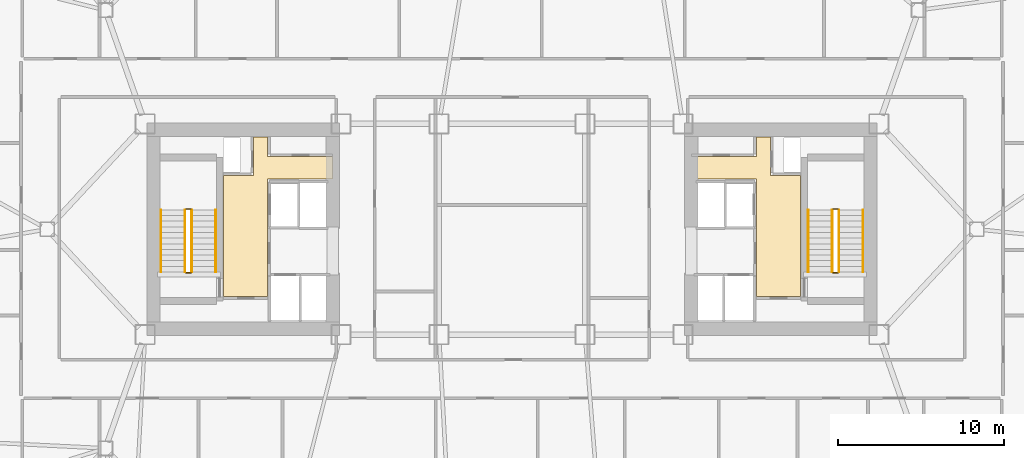
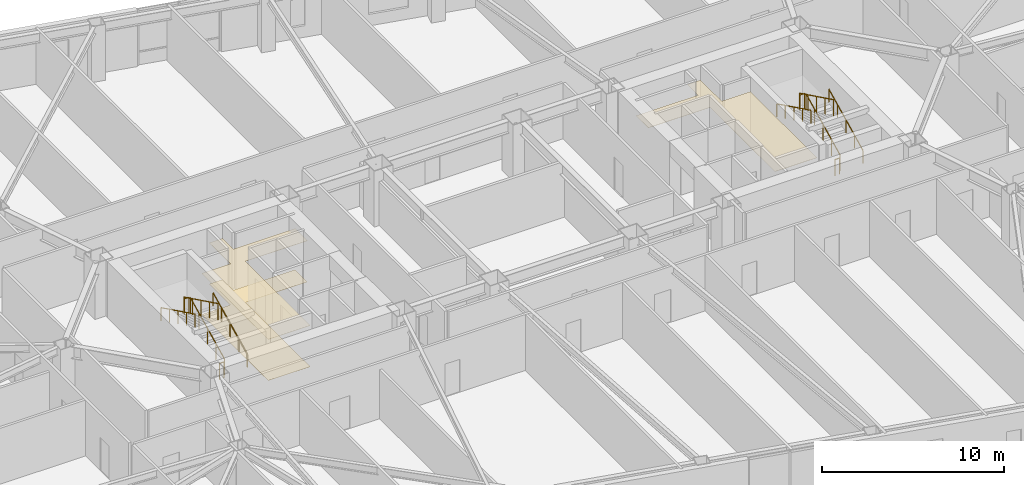
# One storey, part 18 of 18: 12 railings, 3 coverings.
"""IFC4 building model written with IfcOpenShell, lengths in metres."""

from ifc_helpers import new_model, si_unit, direction, frame, origin, origin_2d, place, context, subcontext, project, spatial, polyline, rectangle, outline, extrude, material, layer, layer_set, type_object, element, save


model = new_model("IFC4")

# Units and contexts
model_context = context("Model", 3, precision=1e-05, world=origin(), true_north=direction((0.0, 1.0)))
body_context = subcontext(model_context, "Body", "Model", "MODEL_VIEW")
ifc_project = project(units=[si_unit("LENGTHUNIT", "METRE"), si_unit("AREAUNIT", "SQUARE_METRE"), si_unit("VOLUMEUNIT", "CUBIC_METRE"), si_unit("PLANEANGLEUNIT", "RADIAN"), si_unit("MASSUNIT", "GRAM", prefix="KILO")], contexts=[model_context])

# Site, building, storey
site_placement = place(None, origin())
site = spatial("IfcSite", under=ifc_project, at=site_placement, CompositionType="ELEMENT")
building_placement = place(site_placement, origin())
building = spatial("IfcBuilding", under=site, at=building_placement, Name="Tavrogorsk Clinical Tower", CompositionType="ELEMENT")
storey_placement = place(building_placement, frame((0.0, 0.0, 51.39990234375)))
storey = spatial("IfcBuildingStorey", under=building, at=storey_placement, Name="L10", CompositionType="ELEMENT", Elevation=51.39990234375)

# Coverings
ifc_material_1 = material(Name="Antibacterial micro-perforated aluminium ceiling", Category="aluminium")
ifc_layer_1 = layer(ifc_material_1, 0.014892578125)
ifc_layer_set_1 = layer_set([ifc_layer_1], Name="Antibacterial micro-perforated aluminium ceiling")
covering_type_1 = type_object("IfcCoveringType", Name="ClinicalCeiling_15", PredefinedType="CEILING", material=ifc_layer_set_1)
covering_1_placement = place(storey_placement, frame((0.0, 0.0, 2.75)))
element("IfcCovering", 1, at=covering_1_placement, inside=storey, type_object=covering_type_1, Name="Core West Firefighting Lift Lobby Acoustic Ceiling", PredefinedType="CEILING", context=body_context, shape_type="SweptSolid", body=[
    extrude(outline(polyline([(-14.719970703125, 4.3798828125), (-10.800048828125, 4.3798828125), (-10.800048828125, 3.0400390625), (-14.719970703125, 3.0400390625), (-14.719970703125, -4.06005859375), (-17.3798828125, -4.06005859375), (-17.3798828125, 3.239990234375), (-15.56005859375, 3.239990234375), (-15.56005859375, 5.56005859375), (-14.719970703125, 5.56005859375), (-14.719970703125, 4.3798828125)])), origin(), (0.0, 0.0, 1.0), 0.01513671875),
])
covering_2_placement = place(storey_placement, frame((0.0, 0.0, 2.75)))
element("IfcCovering", 2, at=covering_2_placement, inside=storey, type_object=covering_type_1, Name="Core East Firefighting Lift Lobby Acoustic Ceiling", PredefinedType="CEILING", context=body_context, shape_type="SweptSolid", body=[
    extrude(outline(polyline([(14.719970703125, -4.06005859375), (14.719970703125, 3.0400390625), (10.800048828125, 3.0400390625), (10.800048828125, 4.3798828125), (14.719970703125, 4.3798828125), (14.719970703125, 5.56005859375), (15.56005859375, 5.56005859375), (15.56005859375, 3.239990234375), (17.3798828125, 3.239990234375), (17.3798828125, -4.06005859375), (14.719970703125, -4.06005859375)])), origin(), (0.0, 0.0, 1.0), 0.01513671875),
])
ifc_material_2 = material(Name="Homogeneous medical conductive PVC flooring")
ifc_layer_2 = layer(ifc_material_2, 0.008056640625)
ifc_layer_set_2 = layer_set([ifc_layer_2], Name="Homogeneous medical conductive PVC flooring")
covering_type_2 = type_object("IfcCoveringType", Name="ResilientVinylFloor_8", PredefinedType="FLOORING", material=ifc_layer_set_2)
covering_3_placement = place(storey_placement, origin())
element("IfcCovering", 3, at=covering_3_placement, inside=storey, type_object=covering_type_2, Name="Core West Firefighting Lift Lobby Conductive Vinyl Flooring", PredefinedType="FLOORING", context=body_context, shape_type="SweptSolid", body=[
    extrude(outline(polyline([(-14.719970703125, 4.3798828125), (-10.800048828125, 4.3798828125), (-10.800048828125, 3.0400390625), (-14.719970703125, 3.0400390625), (-14.719970703125, -4.06005859375), (-17.3798828125, -4.06005859375), (-17.3798828125, 3.239990234375), (-15.56005859375, 3.239990234375), (-15.56005859375, 5.56005859375), (-14.719970703125, 5.56005859375), (-14.719970703125, 4.3798828125)])), origin(), (0.0, 0.0, 1.0), 0.008056640625),
])

# Railings
ifc_material_3 = material(Name="Galvanised steel S355 safety stairwell guard", Category="steel")
ifc_layer_3 = layer(ifc_material_3, 0.06005859375)
ifc_layer_set_3 = layer_set([ifc_layer_3], Name="Galvanised steel S355 safety stairwell guard")
railing_type_1 = type_object("IfcRailingType", Name="StairGuard_1150", PredefinedType="GUARDRAIL", material=ifc_layer_set_3)
railing_1_placement = place(storey_placement, frame((-19.300048828125, -2.574951171875, 0.166748046875)))
element("IfcRailing", 4, at=railing_1_placement, inside=storey, type_object=railing_type_1, Name="L10 ST-W stair guard 1", PredefinedType="GUARDRAIL", context=body_context, shape_type="SweptSolid", body=[
    extrude(rectangle(XDim=0.048095703125, YDim=0.048095703125, at=origin_2d()), frame((0.0, 0.0, 1.076171875), z_axis=(0.0, 0.897927990467, 0.440142390523), x_axis=(-1.0, 0.0, 0.0)), (0.0, 0.0, 1.0), 4.1650390625),
    extrude(rectangle(XDim=0.0419921875, YDim=0.0419921875, at=origin_2d()), origin(), (0.0, 0.0, 1.0), 1.052001953125),
    extrude(rectangle(XDim=0.0419921875, YDim=0.0419921875, at=origin_2d()), frame((0.0, 0.93505859375, 0.458251953125)), (0.0, 0.0, 1.0), 1.052001953125),
    extrude(rectangle(XDim=0.0419921875, YDim=0.0419921875, at=origin_2d()), frame((0.0, 1.8701171875, 0.91650390625)), (0.0, 0.0, 1.0), 1.052001953125),
    extrude(rectangle(XDim=0.0419921875, YDim=0.0419921875, at=origin_2d()), frame((0.0, 2.804931640625, 1.375)), (0.0, 0.0, 1.0), 1.052001953125),
    extrude(rectangle(XDim=0.0419921875, YDim=0.0419921875, at=origin_2d()), frame((0.0, 3.739990234375, 1.833251953125)), (0.0, 0.0, 1.0), 1.052001953125),
])
railing_2_placement = place(storey_placement, frame((-19.35009765625, 1.215087890625, 2.0)))
element("IfcRailing", 5, at=railing_2_placement, inside=storey, type_object=railing_type_1, Name="L10 ST-W stair guard 2", PredefinedType="GUARDRAIL", context=body_context, shape_type="SweptSolid", body=[
    extrude(rectangle(XDim=0.048095703125, YDim=0.048095703125, at=origin_2d()), frame((0.0, 0.0, 1.076171875), z_axis=(-1.0, 0.0, 0.0), x_axis=(0.0, -1.0, 0.0)), (0.0, 0.0, 1.0), 0.2998046875),
    extrude(rectangle(XDim=0.0419921875, YDim=0.0419921875, at=origin_2d()), origin(), (0.0, 0.0, 1.0), 1.052001953125),
    extrude(rectangle(XDim=0.0419921875, YDim=0.0419921875, at=origin_2d()), frame((-0.2998046875, 0.0, 0.0)), (0.0, 0.0, 1.0), 1.052001953125),
])
railing_3_placement = place(storey_placement, frame((-19.699951171875, 1.1650390625, 2.166748046875)))
element("IfcRailing", 6, at=railing_3_placement, inside=storey, type_object=railing_type_1, Name="L10 ST-W stair guard 3", PredefinedType="GUARDRAIL", context=body_context, shape_type="SweptSolid", body=[
    extrude(rectangle(XDim=0.048095703125, YDim=0.048095703125, at=origin_2d()), frame((0.0, 0.0, 1.076171875), z_axis=(0.0, -0.897927990467, 0.440142390523), x_axis=(1.0, 0.0, 0.0)), (0.0, 0.0, 1.0), 4.1650390625),
    extrude(rectangle(XDim=0.0419921875, YDim=0.0419921875, at=origin_2d()), origin(), (0.0, 0.0, 1.0), 1.052001953125),
    extrude(rectangle(XDim=0.0419921875, YDim=0.0419921875, at=origin_2d()), frame((0.0, -0.93505859375, 0.458251953125)), (0.0, 0.0, 1.0), 1.052001953125),
    extrude(rectangle(XDim=0.0419921875, YDim=0.0419921875, at=origin_2d()), frame((0.0, -1.8701171875, 0.91650390625)), (0.0, 0.0, 1.0), 1.052001953125),
    extrude(rectangle(XDim=0.0419921875, YDim=0.0419921875, at=origin_2d()), frame((0.0, -2.804931640625, 1.375)), (0.0, 0.0, 1.0), 1.052001953125),
    extrude(rectangle(XDim=0.0419921875, YDim=0.0419921875, at=origin_2d()), frame((0.0, -3.739990234375, 1.833251953125)), (0.0, 0.0, 1.0), 1.052001953125),
])
railing_4_placement = place(storey_placement, frame((-19.35009765625, -2.625, 0.0)))
element("IfcRailing", 7, at=railing_4_placement, inside=storey, type_object=railing_type_1, Name="L10 ST-W stair guard 4", PredefinedType="GUARDRAIL", context=body_context, shape_type="SweptSolid", body=[
    extrude(rectangle(XDim=0.048095703125, YDim=0.048095703125, at=origin_2d()), frame((0.0, 0.0, 1.076171875), z_axis=(-1.0, 0.0, 0.0), x_axis=(0.0, -1.0, 0.0)), (0.0, 0.0, 1.0), 0.2998046875),
    extrude(rectangle(XDim=0.0419921875, YDim=0.0419921875, at=origin_2d()), origin(), (0.0, 0.0, 1.0), 1.052001953125),
    extrude(rectangle(XDim=0.0419921875, YDim=0.0419921875, at=origin_2d()), frame((-0.2998046875, 0.0, 0.0)), (0.0, 0.0, 1.0), 1.052001953125),
])
railing_5_placement = place(storey_placement, frame((19.699951171875, -2.574951171875, 0.166748046875)))
element("IfcRailing", 8, at=railing_5_placement, inside=storey, type_object=railing_type_1, Name="L10 ST-E stair guard 1", PredefinedType="GUARDRAIL", context=body_context, shape_type="SweptSolid", body=[
    extrude(rectangle(XDim=0.048095703125, YDim=0.048095703125, at=origin_2d()), frame((0.0, 0.0, 1.076171875), z_axis=(0.0, 0.897927990467, 0.440142390523), x_axis=(-1.0, 0.0, 0.0)), (0.0, 0.0, 1.0), 4.1650390625),
    extrude(rectangle(XDim=0.0419921875, YDim=0.0419921875, at=origin_2d()), origin(), (0.0, 0.0, 1.0), 1.052001953125),
    extrude(rectangle(XDim=0.0419921875, YDim=0.0419921875, at=origin_2d()), frame((0.0, 0.93505859375, 0.458251953125)), (0.0, 0.0, 1.0), 1.052001953125),
    extrude(rectangle(XDim=0.0419921875, YDim=0.0419921875, at=origin_2d()), frame((0.0, 1.8701171875, 0.91650390625)), (0.0, 0.0, 1.0), 1.052001953125),
    extrude(rectangle(XDim=0.0419921875, YDim=0.0419921875, at=origin_2d()), frame((0.0, 2.804931640625, 1.375)), (0.0, 0.0, 1.0), 1.052001953125),
    extrude(rectangle(XDim=0.0419921875, YDim=0.0419921875, at=origin_2d()), frame((0.0, 3.739990234375, 1.833251953125)), (0.0, 0.0, 1.0), 1.052001953125),
])
railing_6_placement = place(storey_placement, frame((19.64990234375, 1.215087890625, 2.0)))
element("IfcRailing", 9, at=railing_6_placement, inside=storey, type_object=railing_type_1, Name="L10 ST-E stair guard 2", PredefinedType="GUARDRAIL", context=body_context, shape_type="SweptSolid", body=[
    extrude(rectangle(XDim=0.048095703125, YDim=0.048095703125, at=origin_2d()), frame((0.0, 0.0, 1.076171875), z_axis=(-1.0, 0.0, 0.0), x_axis=(0.0, -1.0, 0.0)), (0.0, 0.0, 1.0), 0.2998046875),
    extrude(rectangle(XDim=0.0419921875, YDim=0.0419921875, at=origin_2d()), origin(), (0.0, 0.0, 1.0), 1.052001953125),
    extrude(rectangle(XDim=0.0419921875, YDim=0.0419921875, at=origin_2d()), frame((-0.2998046875, 0.0, 0.0)), (0.0, 0.0, 1.0), 1.052001953125),
])
railing_7_placement = place(storey_placement, frame((19.300048828125, 1.1650390625, 2.166748046875)))
element("IfcRailing", 10, at=railing_7_placement, inside=storey, type_object=railing_type_1, Name="L10 ST-E stair guard 3", PredefinedType="GUARDRAIL", context=body_context, shape_type="SweptSolid", body=[
    extrude(rectangle(XDim=0.048095703125, YDim=0.048095703125, at=origin_2d()), frame((0.0, 0.0, 1.076171875), z_axis=(0.0, -0.897927990467, 0.440142390523), x_axis=(1.0, 0.0, 0.0)), (0.0, 0.0, 1.0), 4.1650390625),
    extrude(rectangle(XDim=0.0419921875, YDim=0.0419921875, at=origin_2d()), origin(), (0.0, 0.0, 1.0), 1.052001953125),
    extrude(rectangle(XDim=0.0419921875, YDim=0.0419921875, at=origin_2d()), frame((0.0, -0.93505859375, 0.458251953125)), (0.0, 0.0, 1.0), 1.052001953125),
    extrude(rectangle(XDim=0.0419921875, YDim=0.0419921875, at=origin_2d()), frame((0.0, -1.8701171875, 0.91650390625)), (0.0, 0.0, 1.0), 1.052001953125),
    extrude(rectangle(XDim=0.0419921875, YDim=0.0419921875, at=origin_2d()), frame((0.0, -2.804931640625, 1.375)), (0.0, 0.0, 1.0), 1.052001953125),
    extrude(rectangle(XDim=0.0419921875, YDim=0.0419921875, at=origin_2d()), frame((0.0, -3.739990234375, 1.833251953125)), (0.0, 0.0, 1.0), 1.052001953125),
])
railing_8_placement = place(storey_placement, frame((19.64990234375, -2.625, 0.0)))
element("IfcRailing", 11, at=railing_8_placement, inside=storey, type_object=railing_type_1, Name="L10 ST-E stair guard 4", PredefinedType="GUARDRAIL", context=body_context, shape_type="SweptSolid", body=[
    extrude(rectangle(XDim=0.048095703125, YDim=0.048095703125, at=origin_2d()), frame((0.0, 0.0, 1.076171875), z_axis=(-1.0, 0.0, 0.0), x_axis=(0.0, -1.0, 0.0)), (0.0, 0.0, 1.0), 0.2998046875),
    extrude(rectangle(XDim=0.0419921875, YDim=0.0419921875, at=origin_2d()), origin(), (0.0, 0.0, 1.0), 1.052001953125),
    extrude(rectangle(XDim=0.0419921875, YDim=0.0419921875, at=origin_2d()), frame((-0.2998046875, 0.0, 0.0)), (0.0, 0.0, 1.0), 1.052001953125),
])
ifc_material_4 = material(Name="Stainless steel AISI 304 tubular handrail", Category="steel")
ifc_layer_4 = layer(ifc_material_4, 0.050048828125)
ifc_layer_set_4 = layer_set([ifc_layer_4], Name="Stainless steel AISI 304 tubular handrail")
railing_type_2 = type_object("IfcRailingType", Name="StairHandrail_920", PredefinedType="HANDRAIL", material=ifc_layer_set_4)
railing_9_placement = place(storey_placement, frame((-17.85009765625, -2.574951171875, 0.166748046875)))
element("IfcRailing", 12, at=railing_9_placement, inside=storey, type_object=railing_type_2, Name="L10 ST-W stair handrail 1", PredefinedType="HANDRAIL", context=body_context, shape_type="SweptSolid", body=[
    extrude(rectangle(XDim=0.048095703125, YDim=0.048095703125, at=origin_2d()), frame((0.0, 0.0, 0.8759765625), z_axis=(0.0, 0.897927990467, 0.440142390523), x_axis=(-1.0, 0.0, 0.0)), (0.0, 0.0, 1.0), 4.1650390625),
    extrude(rectangle(XDim=0.0419921875, YDim=0.0419921875, at=origin_2d()), origin(), (0.0, 0.0, 1.0), 0.851806640625),
    extrude(rectangle(XDim=0.0419921875, YDim=0.0419921875, at=origin_2d()), frame((0.0, 0.93505859375, 0.458251953125)), (0.0, 0.0, 1.0), 0.851806640625),
    extrude(rectangle(XDim=0.0419921875, YDim=0.0419921875, at=origin_2d()), frame((0.0, 1.8701171875, 0.91650390625)), (0.0, 0.0, 1.0), 0.851806640625),
    extrude(rectangle(XDim=0.0419921875, YDim=0.0419921875, at=origin_2d()), frame((0.0, 2.804931640625, 1.375)), (0.0, 0.0, 1.0), 0.851806640625),
    extrude(rectangle(XDim=0.0419921875, YDim=0.0419921875, at=origin_2d()), frame((0.0, 3.739990234375, 1.833251953125)), (0.0, 0.0, 1.0), 0.851806640625),
])
railing_10_placement = place(storey_placement, frame((-21.14990234375, 1.1650390625, 2.166748046875)))
element("IfcRailing", 13, at=railing_10_placement, inside=storey, type_object=railing_type_2, Name="L10 ST-W stair handrail 2", PredefinedType="HANDRAIL", context=body_context, shape_type="SweptSolid", body=[
    extrude(rectangle(XDim=0.048095703125, YDim=0.048095703125, at=origin_2d()), frame((0.0, 0.0, 0.8759765625), z_axis=(0.0, -0.897927990467, 0.440142390523), x_axis=(1.0, 0.0, 0.0)), (0.0, 0.0, 1.0), 4.1650390625),
    extrude(rectangle(XDim=0.0419921875, YDim=0.0419921875, at=origin_2d()), origin(), (0.0, 0.0, 1.0), 0.851806640625),
    extrude(rectangle(XDim=0.0419921875, YDim=0.0419921875, at=origin_2d()), frame((0.0, -0.93505859375, 0.458251953125)), (0.0, 0.0, 1.0), 0.851806640625),
    extrude(rectangle(XDim=0.0419921875, YDim=0.0419921875, at=origin_2d()), frame((0.0, -1.8701171875, 0.91650390625)), (0.0, 0.0, 1.0), 0.851806640625),
    extrude(rectangle(XDim=0.0419921875, YDim=0.0419921875, at=origin_2d()), frame((0.0, -2.804931640625, 1.375)), (0.0, 0.0, 1.0), 0.851806640625),
    extrude(rectangle(XDim=0.0419921875, YDim=0.0419921875, at=origin_2d()), frame((0.0, -3.739990234375, 1.833251953125)), (0.0, 0.0, 1.0), 0.851806640625),
])
railing_11_placement = place(storey_placement, frame((21.14990234375, -2.574951171875, 0.166748046875)))
element("IfcRailing", 14, at=railing_11_placement, inside=storey, type_object=railing_type_2, Name="L10 ST-E stair handrail 1", PredefinedType="HANDRAIL", context=body_context, shape_type="SweptSolid", body=[
    extrude(rectangle(XDim=0.048095703125, YDim=0.048095703125, at=origin_2d()), frame((0.0, 0.0, 0.8759765625), z_axis=(0.0, 0.897927990467, 0.440142390523), x_axis=(-1.0, 0.0, 0.0)), (0.0, 0.0, 1.0), 4.1650390625),
    extrude(rectangle(XDim=0.0419921875, YDim=0.0419921875, at=origin_2d()), origin(), (0.0, 0.0, 1.0), 0.851806640625),
    extrude(rectangle(XDim=0.0419921875, YDim=0.0419921875, at=origin_2d()), frame((0.0, 0.93505859375, 0.458251953125)), (0.0, 0.0, 1.0), 0.851806640625),
    extrude(rectangle(XDim=0.0419921875, YDim=0.0419921875, at=origin_2d()), frame((0.0, 1.8701171875, 0.91650390625)), (0.0, 0.0, 1.0), 0.851806640625),
    extrude(rectangle(XDim=0.0419921875, YDim=0.0419921875, at=origin_2d()), frame((0.0, 2.804931640625, 1.375)), (0.0, 0.0, 1.0), 0.851806640625),
    extrude(rectangle(XDim=0.0419921875, YDim=0.0419921875, at=origin_2d()), frame((0.0, 3.739990234375, 1.833251953125)), (0.0, 0.0, 1.0), 0.851806640625),
])
railing_12_placement = place(storey_placement, frame((17.85009765625, 1.1650390625, 2.166748046875)))
element("IfcRailing", 15, at=railing_12_placement, inside=storey, type_object=railing_type_2, Name="L10 ST-E stair handrail 2", PredefinedType="HANDRAIL", context=body_context, shape_type="SweptSolid", body=[
    extrude(rectangle(XDim=0.048095703125, YDim=0.048095703125, at=origin_2d()), frame((0.0, 0.0, 0.8759765625), z_axis=(0.0, -0.897927990467, 0.440142390523), x_axis=(1.0, 0.0, 0.0)), (0.0, 0.0, 1.0), 4.1650390625),
    extrude(rectangle(XDim=0.0419921875, YDim=0.0419921875, at=origin_2d()), origin(), (0.0, 0.0, 1.0), 0.851806640625),
    extrude(rectangle(XDim=0.0419921875, YDim=0.0419921875, at=origin_2d()), frame((0.0, -0.93505859375, 0.458251953125)), (0.0, 0.0, 1.0), 0.851806640625),
    extrude(rectangle(XDim=0.0419921875, YDim=0.0419921875, at=origin_2d()), frame((0.0, -1.8701171875, 0.91650390625)), (0.0, 0.0, 1.0), 0.851806640625),
    extrude(rectangle(XDim=0.0419921875, YDim=0.0419921875, at=origin_2d()), frame((0.0, -2.804931640625, 1.375)), (0.0, 0.0, 1.0), 0.851806640625),
    extrude(rectangle(XDim=0.0419921875, YDim=0.0419921875, at=origin_2d()), frame((0.0, -3.739990234375, 1.833251953125)), (0.0, 0.0, 1.0), 0.851806640625),
])

save(model, "model.ifc")
